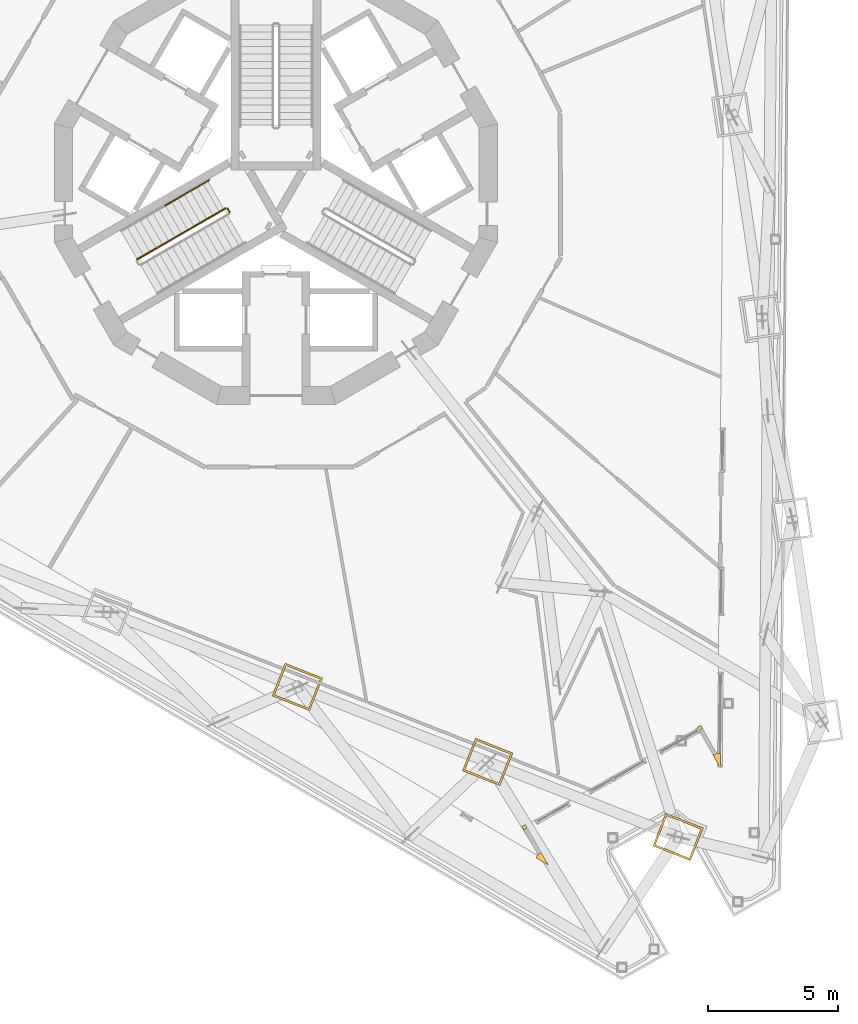
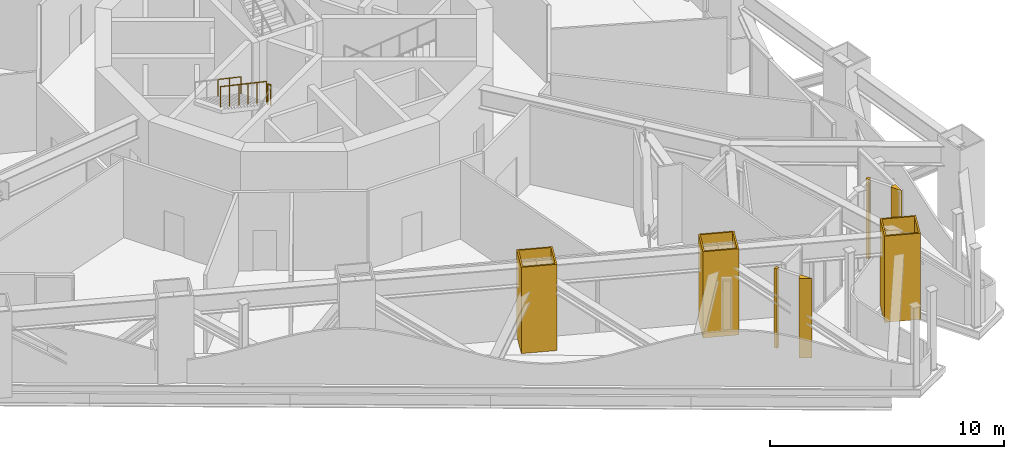
# One storey, part 21 of 27: 7 coverings, 3 railings.
"""IFC4 building model written with IfcOpenShell, lengths in metres."""

from ifc_helpers import new_model, si_unit, direction, frame, origin, origin_2d, place, context, subcontext, project, spatial, polyline, circle, outline, extrude, material, layer, layer_set, type_object, element, save


model = new_model("IFC4")

# Units and contexts
model_context = context("Model", 3, precision=1e-05, world=origin(), true_north=direction((0.0, 1.0)))
body_context = subcontext(model_context, "Body", "Model", "MODEL_VIEW")
ifc_project = project(units=[si_unit("LENGTHUNIT", "METRE"), si_unit("AREAUNIT", "SQUARE_METRE"), si_unit("VOLUMEUNIT", "CUBIC_METRE"), si_unit("PLANEANGLEUNIT", "RADIAN"), si_unit("MASSUNIT", "GRAM", prefix="KILO")], contexts=[model_context])

# Site, building, storey
site_placement = place(None, origin())
site = spatial("IfcSite", under=ifc_project, at=site_placement, CompositionType="ELEMENT")
building_placement = place(site_placement, origin())
building = spatial("IfcBuilding", under=site, at=building_placement, Name="Trine Commons Tower", CompositionType="ELEMENT")
storey_placement = place(building_placement, frame((0.0, 0.0, 193.5)))
storey = spatial("IfcBuildingStorey", under=building, at=storey_placement, Name="L50", CompositionType="ELEMENT", Elevation=193.5)

# Coverings
ifc_material_1 = material(Name="Aluminium-framed insulated wall panel", Category="aluminium")
ifc_layer_1 = layer(ifc_material_1, 0.14990234375)
ifc_layer_set_1 = layer_set([ifc_layer_1], Name="Aluminium-framed insulated wall panel")
covering_type_1 = type_object("IfcCoveringType", Name="Glazing corner post, aluminium", PredefinedType="CLADDING", material=ifc_layer_set_1)
covering_1_placement = place(storey_placement, origin())
element("IfcCovering", 1, at=covering_1_placement, inside=storey, type_object=covering_type_1, Name="Glazing corner post 5-09", PredefinedType="CLADDING", context=body_context, shape_type="SweptSolid", body=[
    extrude(outline(polyline([(96.776611328125, 40.5439453125), (97.05224609375, 40.056640625), (97.05712890625, 40.616455078125), (96.9072265625, 40.617919921875), (96.9072265625, 40.617919921875), (96.776611328125, 40.5439453125)])), origin(), (0.0, 0.0, 1.0), 4.14990234375),
])
covering_2_placement = place(storey_placement, origin())
element("IfcCovering", 2, at=covering_2_placement, inside=storey, type_object=covering_type_1, Name="Glazing corner post 5-10", PredefinedType="CLADDING", context=body_context, shape_type="SweptSolid", body=[
    extrude(outline(polyline([(96.168212890625, 41.619384765625), (96.241943359375, 41.489013671875), (96.37255859375, 41.562744140625), (96.298583984375, 41.693359375), (96.168212890625, 41.619384765625)])), origin(), (0.0, 0.0, 1.0), 4.14990234375),
])
covering_3_placement = place(storey_placement, origin())
element("IfcCovering", 3, at=covering_3_placement, inside=storey, type_object=covering_type_1, Name="Glazing corner post 5-11", PredefinedType="CLADDING", context=body_context, shape_type="SweptSolid", body=[
    extrude(outline(polyline([(89.51416015625, 37.6826171875), (89.644775390625, 37.75634765625), (89.57080078125, 37.886962890625), (89.440185546875, 37.81298828125), (89.51416015625, 37.6826171875)])), origin(), (0.0, 0.0, 1.0), 4.14990234375),
])
covering_4_placement = place(storey_placement, origin())
element("IfcCovering", 4, at=covering_4_placement, inside=storey, type_object=covering_type_1, Name="Glazing corner post 5-12", PredefinedType="CLADDING", context=body_context, shape_type="SweptSolid", body=[
    extrude(outline(polyline([(89.97265625, 36.6083984375), (90.455078125, 36.32421875), (90.179443359375, 36.811279296875), (90.048828125, 36.737548828125), (89.97265625, 36.6083984375)])), origin(), (0.0, 0.0, 1.0), 4.14990234375),
])
ifc_material_2 = material(Name="Limestone, honed", Category="masonry")
ifc_layer_2 = layer(ifc_material_2, 0.074951171875)
ifc_layer_set_2 = layer_set([ifc_layer_2], Name="Limestone, honed")
covering_type_2 = type_object("IfcCoveringType", Name="Limestone column cladding 75", PredefinedType="CLADDING", material=ifc_layer_set_2)
covering_5_placement = place(storey_placement, origin())
element("IfcCovering", 5, at=covering_5_placement, inside=storey, type_object=covering_type_2, Name="Limestone pier cladding 6-01", PredefinedType="CLADDING", context=body_context, shape_type="SweptSolid", body=[
    extrude(outline(polyline([(94.955810546875, 38.32080078125), (94.4609375, 37.064697265625), (95.903076171875, 36.49658203125), (96.39794921875, 37.752685546875), (94.955810546875, 38.32080078125)]), holes=[polyline([(94.998046875, 38.223388671875), (94.55810546875, 37.10693359375), (95.86083984375, 36.593994140625), (96.300537109375, 37.71044921875), (94.998046875, 38.223388671875)])]), origin(), (0.0, 0.0, 1.0), 4.5),
])
covering_6_placement = place(storey_placement, origin())
element("IfcCovering", 6, at=covering_6_placement, inside=storey, type_object=covering_type_2, Name="Limestone pier cladding 6-02", PredefinedType="CLADDING", context=body_context, shape_type="SweptSolid", body=[
    extrude(outline(polyline([(87.6513671875, 41.197998046875), (87.156494140625, 39.94189453125), (88.598876953125, 39.373779296875), (89.093505859375, 40.6298828125), (87.6513671875, 41.197998046875)]), holes=[polyline([(87.693603515625, 41.100830078125), (87.25390625, 39.984375), (88.556396484375, 39.47119140625), (88.996337890625, 40.587646484375), (87.693603515625, 41.100830078125)])]), origin(), (0.0, 0.0, 1.0), 4.5),
])
covering_7_placement = place(storey_placement, origin())
element("IfcCovering", 7, at=covering_7_placement, inside=storey, type_object=covering_type_2, Name="Limestone pier cladding 6-03", PredefinedType="CLADDING", context=body_context, shape_type="SweptSolid", body=[
    extrude(outline(polyline([(80.34716796875, 44.0751953125), (79.852294921875, 42.819091796875), (81.29443359375, 42.251220703125), (81.789306640625, 43.507080078125), (80.34716796875, 44.0751953125)]), holes=[polyline([(80.389404296875, 43.97802734375), (79.94970703125, 42.861572265625), (81.252197265625, 42.348388671875), (81.69189453125, 43.46484375), (80.389404296875, 43.97802734375)])]), origin(), (0.0, 0.0, 1.0), 4.5),
])

# Railings
ifc_material_3 = material(Name="Stainless steel balustrade", Category="steel")
railing_type_1 = type_object("IfcRailingType", Name="Stair guard, steel balustrade 1100", PredefinedType="GUARDRAIL", material=ifc_material_3)
railing_1_placement = place(storey_placement, frame((78.21826171875, 61.384765625, 2.25)))
element("IfcRailing", 8, at=railing_1_placement, inside=storey, type_object=railing_type_1, Name="L50 ST2C stair guard 2", PredefinedType="GUARDRAIL", context=body_context, shape_type="SweptSolid", body=[
    extrude(circle(Radius=0.02392578125, at=origin_2d()), frame((0.0, 0.0, 1.076171875), z_axis=(-0.499816412211, 0.866131372301, 0.0), x_axis=(-0.866131372301, -0.499816412211, 0.0)), (0.0, 0.0, 1.0), 0.14990234375),
    extrude(circle(Radius=0.02099609375, at=origin_2d()), origin(), (0.0, 0.0, 1.0), 1.052001953125),
    extrude(circle(Radius=0.02099609375, at=origin_2d()), frame((-0.074951171875, 0.1298828125, 0.0)), (0.0, 0.0, 1.0), 1.052001953125),
])
railing_2_placement = place(storey_placement, frame((78.074951171875, 61.532958984375, 2.39990234375)))
element("IfcRailing", 9, at=railing_2_placement, inside=storey, type_object=railing_type_1, Name="L50 ST2C stair guard 3", PredefinedType="GUARDRAIL", context=body_context, shape_type="SweptSolid", body=[
    extrude(circle(Radius=0.02392578125, at=origin_2d()), frame((0.0, 0.0, 1.076171875), z_axis=(-0.763374939589, -0.440731680332, 0.472243885677), x_axis=(0.499997407846, -0.86602690036, 0.0)), (0.0, 0.0, 1.0), 4.447021484375),
    extrude(circle(Radius=0.02099609375, at=origin_2d()), origin(), (0.0, 0.0, 1.0), 1.052001953125),
    extrude(circle(Radius=0.02099609375, at=origin_2d()), frame((-0.678955078125, -0.39208984375, 0.419921875)), (0.0, 0.0, 1.0), 1.052001953125),
    extrude(circle(Radius=0.02099609375, at=origin_2d()), frame((-1.35791015625, -0.783935546875, 0.840087890625)), (0.0, 0.0, 1.0), 1.052001953125),
    extrude(circle(Radius=0.02099609375, at=origin_2d()), frame((-2.036865234375, -1.176025390625, 1.260009765625)), (0.0, 0.0, 1.0), 1.052001953125),
    extrude(circle(Radius=0.02099609375, at=origin_2d()), frame((-2.7158203125, -1.56787109375, 1.68017578125)), (0.0, 0.0, 1.0), 1.052001953125),
    extrude(circle(Radius=0.02099609375, at=origin_2d()), frame((-3.394775390625, -1.9599609375, 2.10009765625)), (0.0, 0.0, 1.0), 1.052001953125),
])
ifc_material_4 = material(Name="Stainless steel handrail", Category="steel")
railing_type_2 = type_object("IfcRailingType", Name="Stair handrail, steel 900", PredefinedType="HANDRAIL", material=ifc_material_4)
railing_3_placement = place(storey_placement, frame((77.449951171875, 62.615478515625, 2.39990234375)))
element("IfcRailing", 10, at=railing_3_placement, inside=storey, type_object=railing_type_2, Name="L50 ST2C stair handrail 3", PredefinedType="HANDRAIL", context=body_context, shape_type="SweptSolid", body=[
    extrude(circle(Radius=0.02099609375, at=origin_2d()), frame((0.0, 0.0, 0.87890625), z_axis=(-0.763352030933, -0.440750151347, 0.472263677365), x_axis=(0.500024377727, -0.866011328839, 0.0)), (0.0, 0.0, 1.0), 2.223388671875),
    extrude(circle(Radius=0.01513671875, at=origin_2d()), origin(), (0.0, 0.0, 1.0), 0.85791015625),
    extrude(circle(Radius=0.01513671875, at=origin_2d()), frame((-0.8486328125, -0.489990234375, 0.52490234375)), (0.0, 0.0, 1.0), 0.85791015625),
    extrude(circle(Radius=0.01513671875, at=origin_2d()), frame((-1.697265625, -0.97998046875, 1.050048828125)), (0.0, 0.0, 1.0), 0.85791015625),
])

save(model, "model.ifc")
